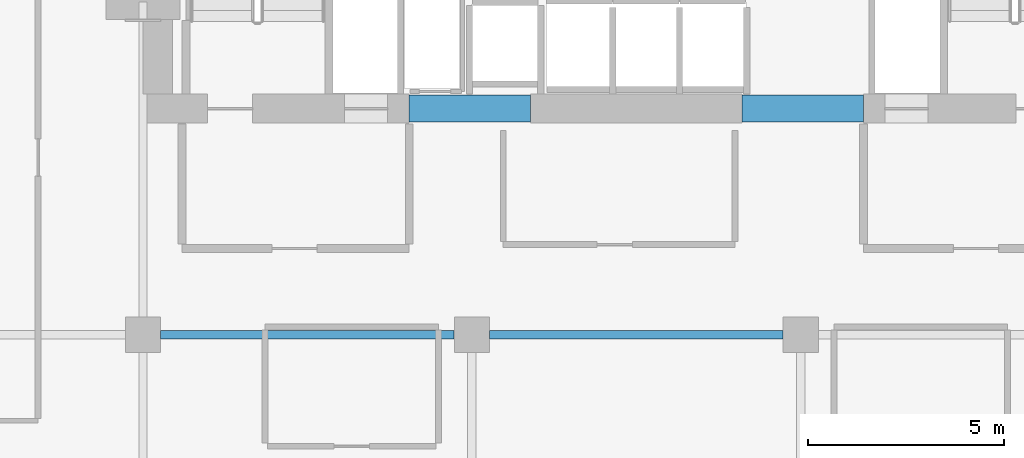
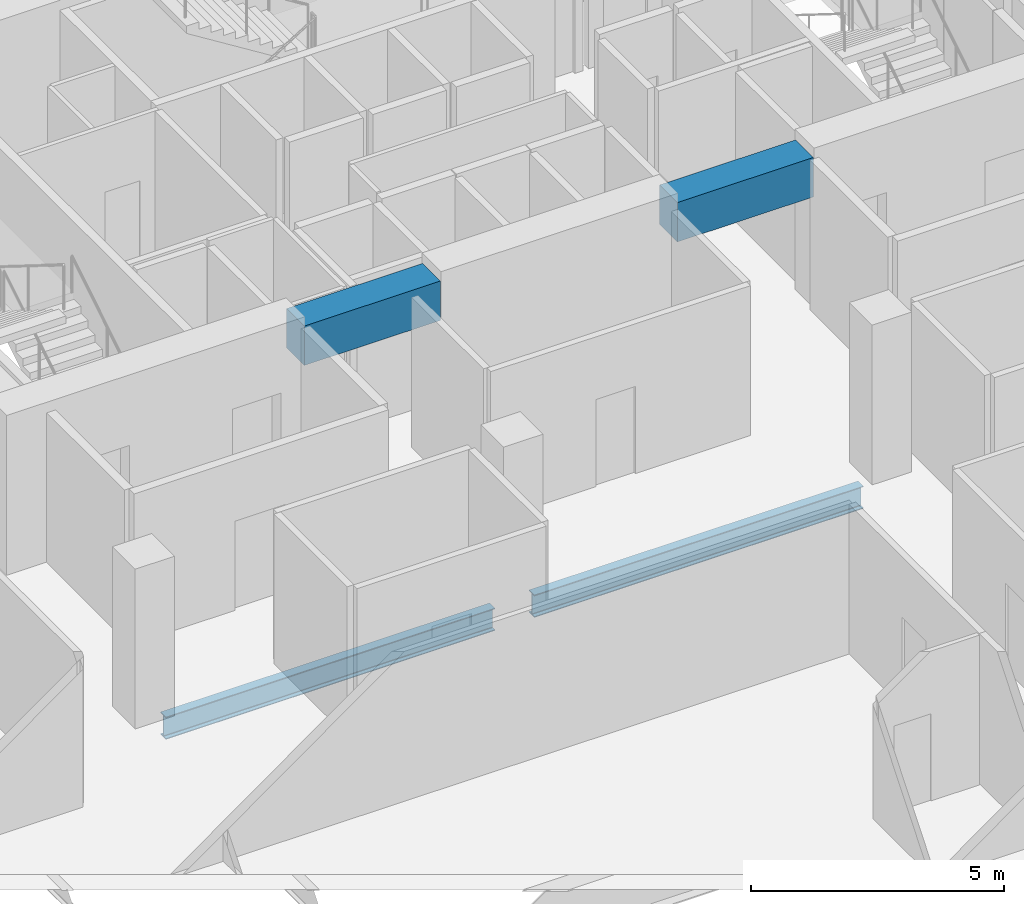
# One storey, part 21 of 33: 4 beams.
"""IFC4 building model written with IfcOpenShell, lengths in metres."""

from ifc_helpers import new_model, si_unit, direction, frame, origin, origin_2d, place, context, subcontext, project, spatial, rectangle, i_section, extrude, material, material_profile, profile_set, type_object, element, save


model = new_model("IFC4")

# Units and contexts
model_context = context("Model", 3, precision=1e-05, world=origin(), true_north=direction((0.0, 1.0)))
body_context = subcontext(model_context, "Body", "Model", "MODEL_VIEW")
ifc_project = project(units=[si_unit("LENGTHUNIT", "METRE"), si_unit("AREAUNIT", "SQUARE_METRE"), si_unit("VOLUMEUNIT", "CUBIC_METRE"), si_unit("PLANEANGLEUNIT", "RADIAN"), si_unit("MASSUNIT", "GRAM", prefix="KILO")], contexts=[model_context])

# Site, building, storey
site_placement = place(None, origin())
site = spatial("IfcSite", under=ifc_project, at=site_placement, CompositionType="ELEMENT")
building_placement = place(site_placement, origin())
building = spatial("IfcBuilding", under=site, at=building_placement, Name="Maruvema Waterfront Hotel and Observation Tower", CompositionType="ELEMENT")
storey_placement = place(building_placement, frame((0.0, 0.0, 196.699951171875)))
storey = spatial("IfcBuildingStorey", under=building, at=storey_placement, Name="L48", CompositionType="ELEMENT", Elevation=196.699951171875)

# Beams
ifc_material_1 = material(Name="Concrete C60/75", Category="concrete")
ifc_material_profile_1 = material_profile(ifc_material_1, rectangle(XDim=0.699951171875, YDim=0.949951171875, at=origin_2d()), Name="CB700x950")
ifc_profile_set_1 = profile_set([ifc_material_profile_1], Name="Concrete C60/75")
beam_type_1 = type_object("IfcBeamType", Name="Core Coupling Lintel Beam CB700x950", PredefinedType="LINTEL", material=ifc_profile_set_1)
for number, where, z_axis, x_axis, name in (
    (1, (32.0, 41.77490234375, 3.135009765625), (1.0, 0.0, 0.0), (0.0, 1.0, 0.0), "L48 Core Coupling Lintel Beam West"),
    (2, (40.5, 41.77490234375, 3.135009765625), (1.0, 0.0, 0.0), (0.0, 1.0, 0.0), "L48 Core Coupling Lintel Beam East"),
):
    element("IfcBeam", number, at=place(storey_placement, frame(where, z_axis=z_axis, x_axis=x_axis)), inside=storey, type_object=beam_type_1, Name=name, PredefinedType="LINTEL", context=body_context, shape_type="SweptSolid", body=[
        extrude(rectangle(XDim=0.699951171875, YDim=0.949951171875, at=origin_2d()), origin(), (0.0, 0.0, 1.0), 3.10009765625),
    ])
ifc_material_2 = material(Name="Steel ASTM A572 Grade 50", Category="steel")
ifc_material_profile_2 = material_profile(ifc_material_2, i_section(OverallWidth=0.2109375, OverallDepth=0.5390625, WebThickness=0.01171875, FlangeThickness=0.018798828125, FilletRadius=0.014892578125, at=origin_2d()), Name="W530x109.0")
ifc_profile_set_2 = profile_set([ifc_material_profile_2], Name="Steel ASTM A572 Grade 50")
beam_type_2 = type_object("IfcBeamType", Name="Primary Floor Girder W530x109.0", PredefinedType="BEAM", material=ifc_profile_set_2)
for number, where, z_axis, x_axis, name in (
    (3, (25.64990234375, 36.0, -0.509521484375), (1.0, 0.0, 0.0), (0.0, 1.0, 0.0), "L48 Floor Girder EW-25"),
    (4, (34.050048828125, 36.0, -0.509521484375), (1.0, 0.0, 0.0), (0.0, 1.0, 0.0), "L48 Floor Girder EW-26"),
):
    element("IfcBeam", number, at=place(storey_placement, frame(where, z_axis=z_axis, x_axis=x_axis)), inside=storey, type_object=beam_type_2, Name=name, PredefinedType="BEAM", context=body_context, shape_type="SweptSolid", body=[
        extrude(i_section(OverallWidth=0.2109375, OverallDepth=0.5390625, WebThickness=0.01171875, FlangeThickness=0.018798828125, FilletRadius=0.014892578125, at=origin_2d()), origin(), (0.0, 0.0, 1.0), 7.5),
    ])

save(model, "model.ifc")
